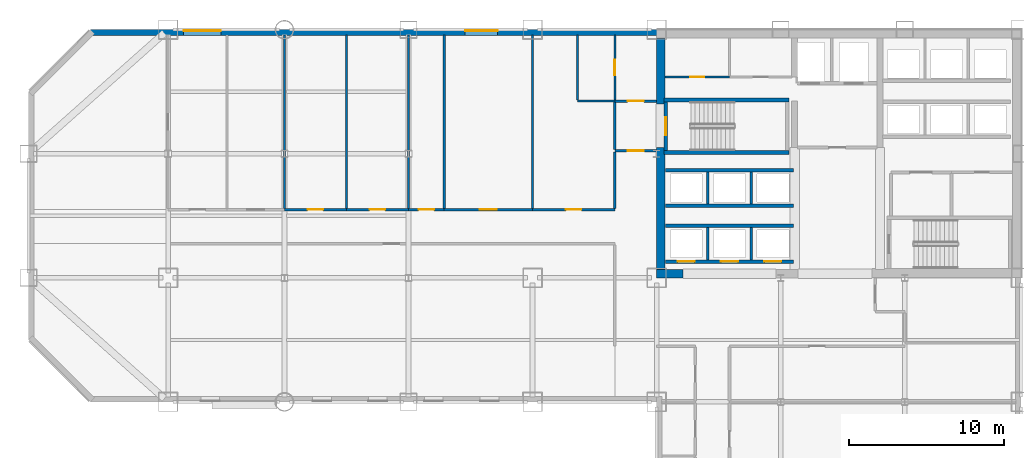
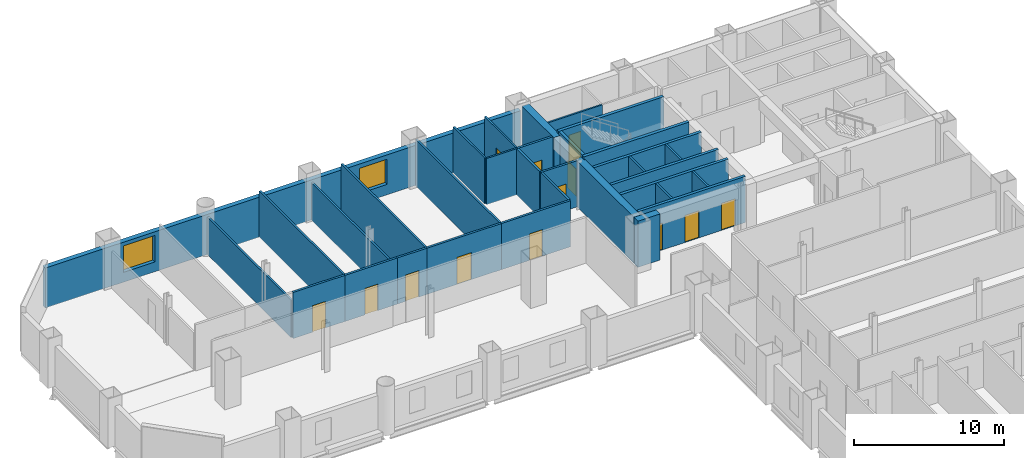
# One storey, part 6 of 9: 33 walls, 13 doors, 2 windows, 15 openings.
"""IFC4 building model written with IfcOpenShell, lengths in metres."""

from ifc_helpers import new_model, si_unit, direction, frame, frame_2d, origin, place, context, subcontext, project, spatial, rectangle, extrude, material, layer, layer_set, type_object, element, fill, save


model = new_model("IFC4")

# Units and contexts
model_context = context("Model", 3, precision=1e-05, world=origin(), true_north=direction((0.0, 1.0)))
body_context = subcontext(model_context, "Body", "Model", "MODEL_VIEW")
ifc_project = project(units=[si_unit("LENGTHUNIT", "METRE"), si_unit("AREAUNIT", "SQUARE_METRE"), si_unit("VOLUMEUNIT", "CUBIC_METRE"), si_unit("PLANEANGLEUNIT", "RADIAN"), si_unit("MASSUNIT", "GRAM", prefix="KILO")], contexts=[model_context])

# Site, building, storey
site_placement = place(None, origin())
site = spatial("IfcSite", under=ifc_project, at=site_placement, CompositionType="ELEMENT")
building_placement = place(site_placement, origin())
building = spatial("IfcBuilding", under=site, at=building_placement, Name="Qianrong Seaharbour Tower", CompositionType="ELEMENT")
storey_placement = place(building_placement, frame((0.0, 0.0, 36.199951171875)))
storey = spatial("IfcBuildingStorey", under=building, at=storey_placement, Name="L08", CompositionType="ELEMENT", Elevation=36.199951171875)

# Walls
ifc_material_1 = material(Name="Concrete C70/85", Category="concrete")
ifc_layer_1 = layer(ifc_material_1, 0.5400390625)
ifc_layer_set_1 = layer_set([ifc_layer_1], Name="Concrete C70/85")
wall_type_1 = type_object("IfcWallType", Name="WALL-CORE-540", PredefinedType="SHEAR", material=ifc_layer_set_1)
wall_1_placement = place(storey_placement, frame((40.77001953125, 36.5400390625, 0.0), z_axis=(0.0, 0.0, 1.0), x_axis=(0.0, 1.0, 0.0)))
element("IfcWall", 1, at=wall_1_placement, inside=storey, type_object=wall_type_1, Name="L08 West Core Shear Wall South", PredefinedType="SHEAR", context=body_context, shape_type="SweptSolid", body=[
    extrude(rectangle(XDim=7.85986328125, YDim=0.5400390625, at=frame_2d((3.929931640625, 0.0))), origin(), (0.0, 0.0, 1.0), 3.75),
])
wall_2_placement = place(storey_placement, frame((40.77001953125, 47.199951171875, 0.0), z_axis=(0.0, 0.0, 1.0), x_axis=(0.0, 1.0, 0.0)))
element("IfcWall", 2, at=wall_2_placement, inside=storey, type_object=wall_type_1, Name="L08 West Core Shear Wall North", PredefinedType="SHEAR", context=body_context, shape_type="SweptSolid", body=[
    extrude(rectangle(XDim=4.260009765625, YDim=0.5400390625, at=frame_2d((2.1298828125, 0.0))), origin(), (0.0, 0.0, 1.0), 3.75),
])
wall_3_placement = place(storey_placement, frame((40.5, 36.27001953125, 0.0), z_axis=(0.0, 0.0, 1.0), x_axis=(1.0, 0.0, 0.0)))
element("IfcWall", 3, at=wall_3_placement, inside=storey, type_object=wall_type_1, Name="L08 South Core Shear Wall S1", PredefinedType="SHEAR", context=body_context, shape_type="SweptSolid", body=[
    extrude(rectangle(XDim=1.699951171875, YDim=0.5400390625, at=frame_2d((0.85009765625, 0.0))), origin(), (0.0, 0.0, 1.0), 3.75),
])

# Wall, opening, door
ifc_material_2 = material(Name="Fire-rated acoustic gypsum board partition")
ifc_layer_2 = layer(ifc_material_2, 0.1650390625)
ifc_layer_set_2 = layer_set([ifc_layer_2], Name="Fire-rated acoustic gypsum board partition")
wall_type_2 = type_object("IfcWallType", Name="WALL-CORR-PART-165", PredefinedType="PARTITIONING", material=ifc_layer_set_2)
wall_4_placement = place(storey_placement, frame((37.800048828125, 47.39990234375, 0.0), z_axis=(0.0, 0.0, 1.0), x_axis=(1.0, 0.0, 0.0)))
wall_4 = element("IfcWall", 4, at=wall_4_placement, inside=storey, type_object=wall_type_2, Name="L08 Interior Partition Wall 001", PredefinedType="PARTITIONING", context=body_context, shape_type="SweptSolid", body=[
    extrude(rectangle(XDim=2.699951171875, YDim=0.1650390625, at=frame_2d((1.35009765625, 0.0))), origin(), (0.0, 0.0, 1.0), 3.75),
])
opening_1_placement = place(wall_4_placement, frame((0.824951171875, 0.0, 0.0)))
opening_1 = element("IfcOpeningElement", 5, at=opening_1_placement, cuts=wall_4, Name="Opening DC-01", PredefinedType="OPENING", context=body_context, shape_type="SweptSolid", body=[
    extrude(rectangle(XDim=1.050048828125, YDim=2.14990234375, at=frame_2d((0.52490234375, 1.074951171875))), frame((0.0, 0.092529296875, 0.0), z_axis=(0.0, -1.0, 0.0), x_axis=(1.0, 0.0, 0.0)), (0.0, 0.0, 1.0), 0.18505859375),
])
ifc_material_3 = material(Name="Acoustic timber and galvanized steel fire door assembly", Category="steel")
door_type_1 = type_object("IfcDoorType", Name="DOOR-CORR-FD60-1050x2150", OperationType="NOTDEFINED", PredefinedType="DOOR", material=ifc_material_3)
door_1_placement = place(opening_1_placement, origin())
door_1 = element("IfcDoor", 6, at=door_1_placement, inside=storey, type_object=door_type_1, Name="L08 Smokeproof Stair Vestibule ST-1 Door", OperationType="SINGLE_SWING_LEFT", OverallHeight=2.14990234375, OverallWidth=1.050048828125, PredefinedType="DOOR", context=body_context, shape_type="SweptSolid", body=[
    extrude(rectangle(XDim=1.050048828125, YDim=2.14990234375, at=frame_2d((0.52490234375, 1.074951171875))), frame((0.0, 0.02490234375, 0.0), z_axis=(0.0, -1.0, 0.0), x_axis=(1.0, 0.0, 0.0)), (0.0, 0.0, 1.0), 0.050048828125),
])
fill(opening_1, door_1)

wall_5_placement = place(storey_placement, frame((40.5, 44.199951171875, 0.0), z_axis=(0.0, 0.0, 1.0), x_axis=(-1.0, 0.0, 0.0)))
wall_5 = element("IfcWall", 7, at=wall_5_placement, inside=storey, type_object=wall_type_2, Name="L08 Interior Partition Wall 002", PredefinedType="PARTITIONING", context=body_context, shape_type="SweptSolid", body=[
    extrude(rectangle(XDim=2.699951171875, YDim=0.1650390625, at=frame_2d((1.35009765625, 0.0))), origin(), (0.0, 0.0, 1.0), 3.75),
])
opening_2_placement = place(wall_5_placement, frame((0.824951171875, 0.0, 0.0)))
opening_2 = element("IfcOpeningElement", 8, at=opening_2_placement, cuts=wall_5, Name="Opening DC-01", PredefinedType="OPENING", context=body_context, shape_type="SweptSolid", body=[
    extrude(rectangle(XDim=1.050048828125, YDim=2.14990234375, at=frame_2d((0.52490234375, 1.074951171875))), frame((0.0, 0.092529296875, 0.0), z_axis=(0.0, -1.0, 0.0), x_axis=(1.0, 0.0, 0.0)), (0.0, 0.0, 1.0), 0.18505859375),
])
door_2_placement = place(opening_2_placement, origin())
door_2 = element("IfcDoor", 9, at=door_2_placement, inside=storey, type_object=door_type_1, Name="L08 Smokeproof Stair Vestibule ST-1 Door", OperationType="SINGLE_SWING_RIGHT", OverallHeight=2.14990234375, OverallWidth=1.050048828125, PredefinedType="DOOR", context=body_context, shape_type="SweptSolid", body=[
    extrude(rectangle(XDim=1.050048828125, YDim=2.14990234375, at=frame_2d((0.52490234375, 1.074951171875))), frame((0.0, 0.02490234375, 0.0), z_axis=(0.0, -1.0, 0.0), x_axis=(1.0, 0.0, 0.0)), (0.0, 0.0, 1.0), 0.050048828125),
])
fill(opening_2, door_2)

# Wall
wall_6_placement = place(storey_placement, frame((37.800048828125, 44.2744140625, 0.0), z_axis=(0.0, 0.0, 1.0), x_axis=(0.0, 1.0, 0.0)))
element("IfcWall", 10, at=wall_6_placement, inside=storey, type_object=wall_type_2, Name="L08 Interior Partition Wall 003", PredefinedType="PARTITIONING", context=body_context, shape_type="SweptSolid", body=[
    extrude(rectangle(XDim=3.051025390625, YDim=0.1650390625, at=frame_2d((1.525390625, 0.0))), origin(), (0.0, 0.0, 1.0), 3.75),
])

# Wall, opening, door
wall_7_placement = place(storey_placement, frame((16.5, 40.39990234375, 0.0), z_axis=(0.0, 0.0, 1.0), x_axis=(1.0, 0.0, 0.0)))
wall_7 = element("IfcWall", 11, at=wall_7_placement, inside=storey, type_object=wall_type_2, Name="L08 Interior Partition Wall 018", PredefinedType="PARTITIONING", context=body_context, shape_type="SweptSolid", body=[
    extrude(rectangle(XDim=4.0, YDim=0.1650390625, at=frame_2d((2.0, 0.0))), origin(), (0.0, 0.0, 1.0), 3.75),
])
opening_3_placement = place(wall_7_placement, frame((1.5, 0.0, 0.0)))
opening_3 = element("IfcOpeningElement", 12, at=opening_3_placement, cuts=wall_7, Name="Opening DO-01", PredefinedType="OPENING", context=body_context, shape_type="SweptSolid", body=[
    extrude(rectangle(XDim=1.0, YDim=2.14990234375, at=frame_2d((0.5, 1.074951171875))), frame((0.0, 0.092529296875, 0.0), z_axis=(0.0, -1.0, 0.0), x_axis=(1.0, 0.0, 0.0)), (0.0, 0.0, 1.0), 0.18505859375),
])
door_type_2 = type_object("IfcDoorType", Name="DOOR-OFFICE-1000x2150", OperationType="NOTDEFINED", PredefinedType="DOOR", material=ifc_material_3)
door_3_placement = place(opening_3_placement, origin())
door_3 = element("IfcDoor", 13, at=door_3_placement, inside=storey, type_object=door_type_2, Name="L08 Executive Office 4 Door", OperationType="SINGLE_SWING_RIGHT", OverallHeight=2.14990234375, OverallWidth=1.0, PredefinedType="DOOR", context=body_context, shape_type="SweptSolid", body=[
    extrude(rectangle(XDim=1.0, YDim=2.14990234375, at=frame_2d((0.5, 1.074951171875))), frame((0.0, 0.02490234375, 0.0), z_axis=(0.0, -1.0, 0.0), x_axis=(1.0, 0.0, 0.0)), (0.0, 0.0, 1.0), 0.050048828125),
])
fill(opening_3, door_3)

wall_8_placement = place(storey_placement, frame((20.5, 40.39990234375, 0.0), z_axis=(0.0, 0.0, 1.0), x_axis=(1.0, 0.0, 0.0)))
wall_8 = element("IfcWall", 14, at=wall_8_placement, inside=storey, type_object=wall_type_2, Name="L08 Interior Partition Wall 019", PredefinedType="PARTITIONING", context=body_context, shape_type="SweptSolid", body=[
    extrude(rectangle(XDim=4.0, YDim=0.1650390625, at=frame_2d((2.0, 0.0))), origin(), (0.0, 0.0, 1.0), 3.75),
])
opening_4_placement = place(wall_8_placement, frame((1.5, 0.0, 0.0)))
opening_4 = element("IfcOpeningElement", 15, at=opening_4_placement, cuts=wall_8, Name="Opening DO-01", PredefinedType="OPENING", context=body_context, shape_type="SweptSolid", body=[
    extrude(rectangle(XDim=1.0, YDim=2.14990234375, at=frame_2d((0.5, 1.074951171875))), frame((0.0, 0.092529296875, 0.0), z_axis=(0.0, -1.0, 0.0), x_axis=(1.0, 0.0, 0.0)), (0.0, 0.0, 1.0), 0.18505859375),
])
door_4_placement = place(opening_4_placement, origin())
door_4 = element("IfcDoor", 16, at=door_4_placement, inside=storey, type_object=door_type_2, Name="L08 Executive Office 5 Door", OperationType="SINGLE_SWING_LEFT", OverallHeight=2.14990234375, OverallWidth=1.0, PredefinedType="DOOR", context=body_context, shape_type="SweptSolid", body=[
    extrude(rectangle(XDim=1.0, YDim=2.14990234375, at=frame_2d((0.5, 1.074951171875))), frame((0.0, 0.02490234375, 0.0), z_axis=(0.0, -1.0, 0.0), x_axis=(1.0, 0.0, 0.0)), (0.0, 0.0, 1.0), 0.050048828125),
])
fill(opening_4, door_4)

wall_9_placement = place(storey_placement, frame((24.5, 40.39990234375, 0.0), z_axis=(0.0, 0.0, 1.0), x_axis=(1.0, 0.0, 0.0)))
wall_9 = element("IfcWall", 17, at=wall_9_placement, inside=storey, type_object=wall_type_2, Name="L08 Interior Partition Wall 020", PredefinedType="PARTITIONING", context=body_context, shape_type="SweptSolid", body=[
    extrude(rectangle(XDim=2.300048828125, YDim=0.1650390625, at=frame_2d((1.14990234375, 0.0))), origin(), (0.0, 0.0, 1.0), 3.75),
])
opening_5_placement = place(wall_9_placement, frame((0.64990234375, 0.0, 0.0)))
opening_5 = element("IfcOpeningElement", 18, at=opening_5_placement, cuts=wall_9, Name="Opening DO-01", PredefinedType="OPENING", context=body_context, shape_type="SweptSolid", body=[
    extrude(rectangle(XDim=1.0, YDim=2.14990234375, at=frame_2d((0.5, 1.074951171875))), frame((0.0, 0.092529296875, 0.0), z_axis=(0.0, -1.0, 0.0), x_axis=(1.0, 0.0, 0.0)), (0.0, 0.0, 1.0), 0.18505859375),
])
door_5_placement = place(opening_5_placement, origin())
door_5 = element("IfcDoor", 19, at=door_5_placement, inside=storey, type_object=door_type_2, Name="L08 Focus Room 6 Door", OperationType="SINGLE_SWING_RIGHT", OverallHeight=2.14990234375, OverallWidth=1.0, PredefinedType="DOOR", context=body_context, shape_type="SweptSolid", body=[
    extrude(rectangle(XDim=1.0, YDim=2.14990234375, at=frame_2d((0.5, 1.074951171875))), frame((0.0, 0.02490234375, 0.0), z_axis=(0.0, -1.0, 0.0), x_axis=(1.0, 0.0, 0.0)), (0.0, 0.0, 1.0), 0.050048828125),
])
fill(opening_5, door_5)

wall_10_placement = place(storey_placement, frame((26.800048828125, 40.39990234375, 0.0), z_axis=(0.0, 0.0, 1.0), x_axis=(1.0, 0.0, 0.0)))
wall_10 = element("IfcWall", 20, at=wall_10_placement, inside=storey, type_object=wall_type_2, Name="L08 Interior Partition Wall 021", PredefinedType="PARTITIONING", context=body_context, shape_type="SweptSolid", body=[
    extrude(rectangle(XDim=5.699951171875, YDim=0.1650390625, at=frame_2d((2.85009765625, 0.0))), origin(), (0.0, 0.0, 1.0), 3.75),
])
opening_6_placement = place(wall_10_placement, frame((2.300048828125, 0.0, 0.0)))
opening_6 = element("IfcOpeningElement", 21, at=opening_6_placement, cuts=wall_10, Name="Opening DM-01", PredefinedType="OPENING", context=body_context, shape_type="SweptSolid", body=[
    extrude(rectangle(XDim=1.10009765625, YDim=2.199951171875, at=frame_2d((0.550048828125, 1.10009765625))), frame((0.0, 0.092529296875, 0.0), z_axis=(0.0, -1.0, 0.0), x_axis=(1.0, 0.0, 0.0)), (0.0, 0.0, 1.0), 0.18505859375),
])
door_type_3 = type_object("IfcDoorType", Name="DOOR-MEET-1100x2200", OperationType="NOTDEFINED", PredefinedType="DOOR", material=ifc_material_3)
door_6_placement = place(opening_6_placement, origin())
door_6 = element("IfcDoor", 22, at=door_6_placement, inside=storey, type_object=door_type_3, Name="L08 Meeting Room 7 Door", OperationType="SINGLE_SWING_LEFT", OverallHeight=2.199951171875, OverallWidth=1.10009765625, PredefinedType="DOOR", context=body_context, shape_type="SweptSolid", body=[
    extrude(rectangle(XDim=1.10009765625, YDim=2.199951171875, at=frame_2d((0.550048828125, 1.10009765625))), frame((0.0, 0.02490234375, 0.0), z_axis=(0.0, -1.0, 0.0), x_axis=(1.0, 0.0, 0.0)), (0.0, 0.0, 1.0), 0.050048828125),
])
fill(opening_6, door_6)

wall_11_placement = place(storey_placement, frame((32.5, 40.39990234375, 0.0), z_axis=(0.0, 0.0, 1.0), x_axis=(1.0, 0.0, 0.0)))
wall_11 = element("IfcWall", 23, at=wall_11_placement, inside=storey, type_object=wall_type_2, Name="L08 Interior Partition Wall 022", PredefinedType="PARTITIONING", context=body_context, shape_type="SweptSolid", body=[
    extrude(rectangle(XDim=5.300048828125, YDim=0.1650390625, at=frame_2d((2.64990234375, 0.0))), origin(), (0.0, 0.0, 1.0), 3.75),
])
opening_7_placement = place(wall_11_placement, frame((2.14990234375, 0.0, 0.0)))
opening_7 = element("IfcOpeningElement", 24, at=opening_7_placement, cuts=wall_11, Name="Opening DO-01", PredefinedType="OPENING", context=body_context, shape_type="SweptSolid", body=[
    extrude(rectangle(XDim=1.0, YDim=2.14990234375, at=frame_2d((0.5, 1.074951171875))), frame((0.0, 0.092529296875, 0.0), z_axis=(0.0, -1.0, 0.0), x_axis=(1.0, 0.0, 0.0)), (0.0, 0.0, 1.0), 0.18505859375),
])
door_7_placement = place(opening_7_placement, origin())
door_7 = element("IfcDoor", 25, at=door_7_placement, inside=storey, type_object=door_type_2, Name="L08 Executive Office 8 Door", OperationType="SINGLE_SWING_RIGHT", OverallHeight=2.14990234375, OverallWidth=1.0, PredefinedType="DOOR", context=body_context, shape_type="SweptSolid", body=[
    extrude(rectangle(XDim=1.0, YDim=2.14990234375, at=frame_2d((0.5, 1.074951171875))), frame((0.0, 0.02490234375, 0.0), z_axis=(0.0, -1.0, 0.0), x_axis=(1.0, 0.0, 0.0)), (0.0, 0.0, 1.0), 0.050048828125),
])
fill(opening_7, door_7)

# Wall
wall_12_placement = place(storey_placement, frame((37.800048828125, 40.474609375, 0.0), z_axis=(0.0, 0.0, 1.0), x_axis=(0.0, 1.0, 0.0)))
element("IfcWall", 26, at=wall_12_placement, inside=storey, type_object=wall_type_2, Name="L08 Interior Partition Wall 024", PredefinedType="PARTITIONING", context=body_context, shape_type="SweptSolid", body=[
    extrude(rectangle(XDim=3.65087890625, YDim=0.1650390625, at=frame_2d((1.825439453125, 0.0))), origin(), (0.0, 0.0, 1.0), 3.75),
])

# Wall, openings, windows
ifc_material_4 = material(Name="Unitised red brick on Precast concrete C45/55", Category="masonry")
ifc_layer_3 = layer(ifc_material_4, 0.360107421875)
ifc_layer_set_3 = layer_set([ifc_layer_3], Name="Unitised red brick on Precast concrete C45/55")
wall_type_3 = type_object("IfcWallType", Name="WALL-EXT-BRICK-RED-360", PredefinedType="SOLIDWALL", material=ifc_layer_set_3)
wall_13_placement = place(storey_placement, frame((4.0, 51.820068359375, 0.0), z_axis=(0.0, 0.0, 1.0), x_axis=(1.0, 0.0, 0.0)))
wall_13 = element("IfcWall", 27, at=wall_13_placement, inside=storey, type_object=wall_type_3, Name="L08 Exterior Masonry Facade Wall NORTH_WING", PredefinedType="SOLIDWALL", context=body_context, shape_type="SweptSolid", body=[
    extrude(rectangle(XDim=36.52001953125, YDim=0.360107421875, at=frame_2d((18.260009765625, 0.0))), origin(), (0.0, 0.0, 1.0), 3.25),
])
opening_8_placement = place(wall_13_placement, frame((6.0, 0.0, 0.800048828125)))
opening_8 = element("IfcOpeningElement", 28, at=opening_8_placement, cuts=wall_13, Name="Opening WN-07", PredefinedType="OPENING", context=body_context, shape_type="SweptSolid", body=[
    extrude(rectangle(XDim=2.39990234375, YDim=2.14990234375, at=frame_2d((1.199951171875, 1.074951171875))), frame((0.0, 0.18994140625, 0.0), z_axis=(0.0, -1.0, 0.0), x_axis=(1.0, 0.0, 0.0)), (0.0, 0.0, 1.0), 0.380126953125),
])
opening_9_placement = place(wall_13_placement, frame((24.14990234375, 0.0, 0.85009765625)))
opening_9 = element("IfcOpeningElement", 29, at=opening_9_placement, cuts=wall_13, Name="Opening WN-06", PredefinedType="OPENING", context=body_context, shape_type="SweptSolid", body=[
    extrude(rectangle(XDim=2.10009765625, YDim=2.050048828125, at=frame_2d((1.050048828125, 1.02490234375))), frame((0.0, 0.18994140625, 0.0), z_axis=(0.0, -1.0, 0.0), x_axis=(1.0, 0.0, 0.0)), (0.0, 0.0, 1.0), 0.380126953125),
])
ifc_material_5 = material(Name="Insulated low-e double glazing in thermally broken aluminium 6063-T6 frame", Category="aluminium")
window_type_1 = type_object("IfcWindowType", Name="WIN-PUNCH-2100x2050", PartitioningType="TRIPLE_PANEL_VERTICAL", PredefinedType="WINDOW", material=ifc_material_5)
window_1_placement = place(opening_9_placement, origin())
window_1 = element("IfcWindow", 30, at=window_1_placement, inside=storey, type_object=window_type_1, Name="L08 Deep-Set Punched Window 05.07", OverallHeight=2.050048828125, OverallWidth=2.10009765625, PartitioningType="TRIPLE_PANEL_VERTICAL", PredefinedType="WINDOW", context=body_context, shape_type="SweptSolid", body=[
    extrude(rectangle(XDim=2.10009765625, YDim=2.050048828125, at=frame_2d((1.050048828125, 1.02490234375))), frame((0.0, 0.150146484375, 0.0), z_axis=(0.0, -1.0, 0.0), x_axis=(1.0, 0.0, 0.0)), (0.0, 0.0, 1.0), 0.06005859375),
])
fill(opening_9, window_1)
window_type_2 = type_object("IfcWindowType", Name="WIN-PUNCH-2400x2150", PartitioningType="TRIPLE_PANEL_VERTICAL", PredefinedType="WINDOW", material=ifc_material_5)
window_2_placement = place(opening_8_placement, origin())
window_2 = element("IfcWindow", 31, at=window_2_placement, inside=storey, type_object=window_type_2, Name="L08 Deep-Set Punched Window 05.02", OverallHeight=2.14990234375, OverallWidth=2.39990234375, PartitioningType="TRIPLE_PANEL_VERTICAL", PredefinedType="WINDOW", context=body_context, shape_type="SweptSolid", body=[
    extrude(rectangle(XDim=2.39990234375, YDim=2.14990234375, at=frame_2d((1.199951171875, 1.074951171875))), frame((0.0, 0.150146484375, 0.0), z_axis=(0.0, -1.0, 0.0), x_axis=(1.0, 0.0, 0.0)), (0.0, 0.0, 1.0), 0.06005859375),
])
fill(opening_8, window_2)

# Walls
ifc_material_6 = material(Name="Acoustic gypsum board stud partition")
ifc_layer_4 = layer(ifc_material_6, 0.14501953125)
ifc_layer_set_4 = layer_set([ifc_layer_4], Name="Acoustic gypsum board stud partition")
wall_type_4 = type_object("IfcWallType", Name="WALL-OFFICE-PART-145", PredefinedType="PARTITIONING", material=ifc_layer_set_4)
wall_14_placement = place(storey_placement, frame((16.5, 51.64794921875, 0.0), z_axis=(0.0, 0.0, 1.0), x_axis=(0.0, -1.0, 0.0)))
element("IfcWall", 32, at=wall_14_placement, inside=storey, type_object=wall_type_4, Name="L08 Interior Partition Wall 047", PredefinedType="PARTITIONING", context=body_context, shape_type="SweptSolid", body=[
    extrude(rectangle(XDim=11.17333984375, YDim=0.14501953125, at=frame_2d((5.586669921875, 0.0))), origin(), (0.0, 0.0, 1.0), 3.0419921875),
])
wall_15_placement = place(storey_placement, frame((20.5, 51.64794921875, 0.0), z_axis=(0.0, 0.0, 1.0), x_axis=(0.0, -1.0, 0.0)))
element("IfcWall", 33, at=wall_15_placement, inside=storey, type_object=wall_type_4, Name="L08 Interior Partition Wall 048", PredefinedType="PARTITIONING", context=body_context, shape_type="SweptSolid", body=[
    extrude(rectangle(XDim=11.17333984375, YDim=0.14501953125, at=frame_2d((5.586669921875, 0.0))), origin(), (0.0, 0.0, 1.0), 3.75),
])
wall_16_placement = place(storey_placement, frame((24.5, 51.64794921875, 0.0), z_axis=(0.0, 0.0, 1.0), x_axis=(0.0, -1.0, 0.0)))
element("IfcWall", 34, at=wall_16_placement, inside=storey, type_object=wall_type_4, Name="L08 Interior Partition Wall 049", PredefinedType="PARTITIONING", context=body_context, shape_type="SweptSolid", body=[
    extrude(rectangle(XDim=11.17333984375, YDim=0.14501953125, at=frame_2d((5.586669921875, 0.0))), origin(), (0.0, 0.0, 1.0), 3.0419921875),
])
for number, where, z_axis, x_axis, name in (
    (35, (26.800048828125, 51.64794921875, 0.0), (0.0, 0.0, 1.0), (0.0, -1.0, 0.0), "L08 Interior Partition Wall 050"),
    (36, (32.5, 51.64794921875, 0.0), (0.0, 0.0, 1.0), (0.0, -1.0, 0.0), "L08 Interior Partition Wall 051"),
):
    element("IfcWall", number, at=place(storey_placement, frame(where, z_axis=z_axis, x_axis=x_axis)), inside=storey, type_object=wall_type_4, Name=name, PredefinedType="PARTITIONING", context=body_context, shape_type="SweptSolid", body=[
        extrude(rectangle(XDim=11.17333984375, YDim=0.14501953125, at=frame_2d((5.586669921875, 0.0))), origin(), (0.0, 0.0, 1.0), 3.75),
    ])
ifc_material_7 = material(Name="Fire-rated gypsum board on steel studs", Category="steel")
ifc_layer_5 = layer(ifc_material_7, 0.14990234375)
ifc_layer_set_5 = layer_set([ifc_layer_5], Name="Fire-rated gypsum board on steel studs")
wall_type_5 = type_object("IfcWallType", Name="WALL-SHAFT-DIV-150", PredefinedType="PARTITIONING", material=ifc_layer_set_5)
for number, where, z_axis, x_axis, name in (
    (37, (43.800048828125, 37.159912109375, 0.0), (0.0, 0.0, 1.0), (0.0, 1.0, 0.0), "L08 P1 Lift Hoistway Divider 2"),
    (38, (46.60009765625, 37.159912109375, 0.0), (0.0, 0.0, 1.0), (0.0, 1.0, 0.0), "L08 P1 Lift Hoistway Divider 3"),
    (39, (43.800048828125, 40.760009765625, 0.0), (0.0, 0.0, 1.0), (0.0, 1.0, 0.0), "L08 P2 Lift Hoistway Divider 2"),
    (40, (46.60009765625, 40.760009765625, 0.0), (0.0, 0.0, 1.0), (0.0, 1.0, 0.0), "L08 P2 Lift Hoistway Divider 3"),
):
    element("IfcWall", number, at=place(storey_placement, frame(where, z_axis=z_axis, x_axis=x_axis)), inside=storey, type_object=wall_type_5, Name=name, PredefinedType="PARTITIONING", context=body_context, shape_type="SweptSolid", body=[
        extrude(rectangle(XDim=2.080078125, YDim=0.14990234375, at=frame_2d((1.0400390625, 0.0))), origin(), (0.0, 0.0, 1.0), 3.75),
    ])

# Wall, openings, doors
ifc_layer_6 = layer(ifc_material_7, 0.219970703125)
ifc_layer_set_6 = layer_set([ifc_layer_6], Name="Fire-rated gypsum board on steel studs")
wall_type_6 = type_object("IfcWallType", Name="WALL-SHAFT-GYP220", PredefinedType="PARTITIONING", material=ifc_layer_set_6)
wall_17_placement = place(storey_placement, frame((49.320068359375, 37.050048828125, 0.0), z_axis=(0.0, 0.0, 1.0), x_axis=(-1.0, 0.0, 0.0)))
wall_17 = element("IfcWall", 41, at=wall_17_placement, inside=storey, type_object=wall_type_6, Name="L08 P1 Lift Hoistway Front Wall", PredefinedType="PARTITIONING", context=body_context, shape_type="SweptSolid", body=[
    extrude(rectangle(XDim=8.239990234375, YDim=0.219970703125, at=frame_2d((4.1201171875, 0.0))), origin(), (0.0, 0.0, 1.0), 3.75),
])
opening_10_placement = place(wall_17_placement, frame((6.3701171875, 0.0, 0.0)))
opening_10 = element("IfcOpeningElement", 42, at=opening_10_placement, cuts=wall_17, Name="Opening LD-02", PredefinedType="OPENING", context=body_context, shape_type="SweptSolid", body=[
    extrude(rectangle(XDim=1.10009765625, YDim=2.199951171875, at=frame_2d((0.550048828125, 1.10009765625))), frame((0.0, 0.1201171875, 0.0), z_axis=(0.0, -1.0, 0.0), x_axis=(1.0, 0.0, 0.0)), (0.0, 0.0, 1.0), 0.239990234375),
])
opening_11_placement = place(wall_17_placement, frame((3.570068359375, 0.0, 0.0)))
opening_11 = element("IfcOpeningElement", 43, at=opening_11_placement, cuts=wall_17, Name="Opening LD-02", PredefinedType="OPENING", context=body_context, shape_type="SweptSolid", body=[
    extrude(rectangle(XDim=1.10009765625, YDim=2.199951171875, at=frame_2d((0.550048828125, 1.10009765625))), frame((0.0, 0.1201171875, 0.0), z_axis=(0.0, -1.0, 0.0), x_axis=(1.0, 0.0, 0.0)), (0.0, 0.0, 1.0), 0.239990234375),
])
opening_12_placement = place(wall_17_placement, frame((0.77001953125, 0.0, 0.0)))
opening_12 = element("IfcOpeningElement", 44, at=opening_12_placement, cuts=wall_17, Name="Opening LD-02", PredefinedType="OPENING", context=body_context, shape_type="SweptSolid", body=[
    extrude(rectangle(XDim=1.10009765625, YDim=2.199951171875, at=frame_2d((0.550048828125, 1.10009765625))), frame((0.0, 0.1201171875, 0.0), z_axis=(0.0, -1.0, 0.0), x_axis=(1.0, 0.0, 0.0)), (0.0, 0.0, 1.0), 0.239990234375),
])
ifc_material_8 = material(Name="Stainless steel SUS316L bi-parting lift landing door", Category="steel")
door_type_4 = type_object("IfcDoorType", Name="DOOR-LIFT-PASS-1100x2200", OperationType="DOUBLE_DOOR_SLIDING", PredefinedType="DOOR", material=ifc_material_8)
door_8_placement = place(opening_10_placement, origin())
door_8 = element("IfcDoor", 45, at=door_8_placement, inside=storey, type_object=door_type_4, Name="L08 PL-1A Lift Landing Door", OperationType="DOUBLE_DOOR_SLIDING", OverallHeight=2.199951171875, OverallWidth=1.10009765625, PredefinedType="DOOR", context=body_context, shape_type="SweptSolid", body=[
    extrude(rectangle(XDim=1.10009765625, YDim=2.199951171875, at=frame_2d((0.550048828125, 1.10009765625))), frame((0.0, 0.02490234375, 0.0), z_axis=(0.0, -1.0, 0.0), x_axis=(1.0, 0.0, 0.0)), (0.0, 0.0, 1.0), 0.050048828125),
])
fill(opening_10, door_8)
door_9_placement = place(opening_11_placement, origin())
door_9 = element("IfcDoor", 46, at=door_9_placement, inside=storey, type_object=door_type_4, Name="L08 PL-1B Lift Landing Door", OperationType="DOUBLE_DOOR_SLIDING", OverallHeight=2.199951171875, OverallWidth=1.10009765625, PredefinedType="DOOR", context=body_context, shape_type="SweptSolid", body=[
    extrude(rectangle(XDim=1.10009765625, YDim=2.199951171875, at=frame_2d((0.550048828125, 1.10009765625))), frame((0.0, 0.02490234375, 0.0), z_axis=(0.0, -1.0, 0.0), x_axis=(1.0, 0.0, 0.0)), (0.0, 0.0, 1.0), 0.050048828125),
])
fill(opening_11, door_9)
door_10_placement = place(opening_12_placement, origin())
door_10 = element("IfcDoor", 47, at=door_10_placement, inside=storey, type_object=door_type_4, Name="L08 PL-1C Lift Landing Door", OperationType="DOUBLE_DOOR_SLIDING", OverallHeight=2.199951171875, OverallWidth=1.10009765625, PredefinedType="DOOR", context=body_context, shape_type="SweptSolid", body=[
    extrude(rectangle(XDim=1.10009765625, YDim=2.199951171875, at=frame_2d((0.550048828125, 1.10009765625))), frame((0.0, 0.02490234375, 0.0), z_axis=(0.0, -1.0, 0.0), x_axis=(1.0, 0.0, 0.0)), (0.0, 0.0, 1.0), 0.050048828125),
])
fill(opening_12, door_10)

# Walls
for number, where, z_axis, x_axis, name in (
    (48, (41.080078125, 39.35009765625, 0.0), (0.0, 0.0, 1.0), (1.0, 0.0, 0.0), "L08 P1 Lift Hoistway Back Wall"),
    (49, (49.320068359375, 40.64990234375, 0.0), (0.0, 0.0, 1.0), (-1.0, 0.0, 0.0), "L08 P2 Lift Hoistway Front Wall"),
    (50, (41.080078125, 42.949951171875, 0.0), (0.0, 0.0, 1.0), (1.0, 0.0, 0.0), "L08 P2 Lift Hoistway Back Wall"),
):
    element("IfcWall", number, at=place(storey_placement, frame(where, z_axis=z_axis, x_axis=x_axis)), inside=storey, type_object=wall_type_6, Name=name, PredefinedType="PARTITIONING", context=body_context, shape_type="SweptSolid", body=[
        extrude(rectangle(XDim=8.239990234375, YDim=0.219970703125, at=frame_2d((4.1201171875, 0.0))), origin(), (0.0, 0.0, 1.0), 3.75),
    ])
ifc_material_9 = material(Name="Concrete C50/60", Category="concrete")
ifc_layer_7 = layer(ifc_material_9, 0.239990234375)
ifc_layer_set_7 = layer_set([ifc_layer_7], Name="Concrete C50/60")
wall_type_7 = type_object("IfcWallType", Name="WALL-SHAFT-RC240", PredefinedType="SOLIDWALL", material=ifc_layer_set_7)
for number, where, z_axis, x_axis, name in (
    (51, (40.9599609375, 47.469970703125, 0.0), (0.0, 0.0, 1.0), (1.0, 0.0, 0.0), "L08 ST-1 Structural Stair Core Wall N"),
    (52, (49.0400390625, 44.080078125, 0.0), (0.0, 0.0, 1.0), (-1.0, 0.0, 0.0), "L08 ST-1 Structural Stair Core Wall S"),
):
    element("IfcWall", number, at=place(storey_placement, frame(where, z_axis=z_axis, x_axis=x_axis)), inside=storey, type_object=wall_type_7, Name=name, PredefinedType="SOLIDWALL", context=body_context, shape_type="SweptSolid", body=[
        extrude(rectangle(XDim=8.080078125, YDim=0.239990234375, at=frame_2d((4.0400390625, 0.0))), origin(), (0.0, 0.0, 1.0), 4.0),
    ])

# Wall, opening, door
wall_18_placement = place(storey_placement, frame((41.080078125, 47.35009765625, 0.0), z_axis=(0.0, 0.0, 1.0), x_axis=(0.0, -1.0, 0.0)))
wall_18 = element("IfcWall", 53, at=wall_18_placement, inside=storey, type_object=wall_type_7, Name="L08 ST-1 Structural Stair Core Wall W", PredefinedType="SOLIDWALL", context=body_context, shape_type="SweptSolid", body=[
    extrude(rectangle(XDim=3.150146484375, YDim=0.239990234375, at=frame_2d((1.5751953125, 0.0))), origin(), (0.0, 0.0, 1.0), 4.0),
])
opening_13_placement = place(wall_18_placement, frame((1.0, 0.0, 0.0)))
opening_13 = element("IfcOpeningElement", 54, at=opening_13_placement, cuts=wall_18, Name="Opening SD-01", PredefinedType="OPENING", context=body_context, shape_type="SweptSolid", body=[
    extrude(rectangle(XDim=1.14990234375, YDim=2.199951171875, at=frame_2d((0.574951171875, 1.10009765625))), frame((0.0, 0.1298828125, 0.0), z_axis=(0.0, -1.0, 0.0), x_axis=(1.0, 0.0, 0.0)), (0.0, 0.0, 1.0), 0.260009765625),
])
door_type_5 = type_object("IfcDoorType", Name="DOOR-STAIR-FD60-1150x2200", OperationType="NOTDEFINED", PredefinedType="DOOR", material=ifc_material_3)
door_11_placement = place(opening_13_placement, origin())
door_11 = element("IfcDoor", 55, at=door_11_placement, inside=storey, type_object=door_type_5, Name="L08 ST-1 Protected Stair Door", OperationType="SINGLE_SWING_LEFT", OverallHeight=2.199951171875, OverallWidth=1.14990234375, PredefinedType="DOOR", context=body_context, shape_type="SweptSolid", body=[
    extrude(rectangle(XDim=1.14990234375, YDim=2.199951171875, at=frame_2d((0.574951171875, 1.10009765625))), frame((0.0, 0.02490234375, 0.0), z_axis=(0.0, -1.0, 0.0), x_axis=(1.0, 0.0, 0.0)), (0.0, 0.0, 1.0), 0.050048828125),
])
fill(opening_13, door_11)

ifc_material_10 = material(Name="Water-resistant cement board sanitary partition")
ifc_layer_8 = layer(ifc_material_10, 0.1298828125)
ifc_layer_set_8 = layer_set([ifc_layer_8], Name="Water-resistant cement board sanitary partition")
wall_type_8 = type_object("IfcWallType", Name="WALL-WET-PART-130", PredefinedType="PARTITIONING", material=ifc_layer_set_8)
wall_19_placement = place(storey_placement, frame((37.800048828125, 47.474609375, 0.0), z_axis=(0.0, 0.0, 1.0), x_axis=(0.0, 1.0, 0.0)))
wall_19 = element("IfcWall", 56, at=wall_19_placement, inside=storey, type_object=wall_type_8, Name="L08 Interior Partition Wall 004", PredefinedType="PARTITIONING", context=body_context, shape_type="SweptSolid", body=[
    extrude(rectangle(XDim=4.17333984375, YDim=0.1298828125, at=frame_2d((2.086669921875, 0.0))), origin(), (0.0, 0.0, 1.0), 3.75),
])
opening_14_placement = place(wall_19_placement, frame((1.57666015625, 0.0, 0.0)))
opening_14 = element("IfcOpeningElement", 57, at=opening_14_placement, cuts=wall_19, Name="Opening DAW-01", PredefinedType="OPENING", context=body_context, shape_type="SweptSolid", body=[
    extrude(rectangle(XDim=1.02001953125, YDim=2.14990234375, at=frame_2d((0.510009765625, 1.074951171875))), frame((0.0, 0.074951171875, 0.0), z_axis=(0.0, -1.0, 0.0), x_axis=(1.0, 0.0, 0.0)), (0.0, 0.0, 1.0), 0.14990234375),
])
door_type_6 = type_object("IfcDoorType", Name="DOOR-AWC-SLIDE-1020x2150", OperationType="SLIDING_TO_LEFT", PredefinedType="DOOR", material=ifc_material_3)
door_12_placement = place(opening_14_placement, origin())
door_12 = element("IfcDoor", 58, at=door_12_placement, inside=storey, type_object=door_type_6, Name="L08 Accessible Restroom WC Door", OperationType="SLIDING_TO_LEFT", OverallHeight=2.14990234375, OverallWidth=1.02001953125, PredefinedType="DOOR", context=body_context, shape_type="SweptSolid", body=[
    extrude(rectangle(XDim=1.02001953125, YDim=2.14990234375, at=frame_2d((0.510009765625, 1.074951171875))), frame((0.0, 0.02490234375, 0.0), z_axis=(0.0, -1.0, 0.0), x_axis=(1.0, 0.0, 0.0)), (0.0, 0.0, 1.0), 0.050048828125),
])
fill(opening_14, door_12)

# Walls
wall_20_placement = place(storey_placement, frame((37.800048828125, 47.39990234375, 0.0), z_axis=(0.0, 0.0, 1.0), x_axis=(-1.0, 0.0, 0.0)))
element("IfcWall", 59, at=wall_20_placement, inside=storey, type_object=wall_type_8, Name="L08 Interior Partition Wall 005", PredefinedType="PARTITIONING", context=body_context, shape_type="SweptSolid", body=[
    extrude(rectangle(XDim=2.400146484375, YDim=0.1298828125, at=frame_2d((1.2001953125, 0.0))), origin(), (0.0, 0.0, 1.0), 3.75),
])
wall_21_placement = place(storey_placement, frame((35.39990234375, 47.45703125, 0.0), z_axis=(0.0, 0.0, 1.0), x_axis=(0.0, 1.0, 0.0)))
element("IfcWall", 60, at=wall_21_placement, inside=storey, type_object=wall_type_8, Name="L08 Interior Partition Wall 006", PredefinedType="PARTITIONING", context=body_context, shape_type="SweptSolid", body=[
    extrude(rectangle(XDim=4.19091796875, YDim=0.1298828125, at=frame_2d((2.095458984375, 0.0))), origin(), (0.0, 0.0, 1.0), 3.75),
])

# Wall, opening, door
wall_22_placement = place(storey_placement, frame((41.0400390625, 48.949951171875, 0.0), z_axis=(0.0, 0.0, 1.0), x_axis=(1.0, 0.0, 0.0)))
wall_22 = element("IfcWall", 61, at=wall_22_placement, inside=storey, type_object=wall_type_8, Name="L08 Interior Partition Wall 007", PredefinedType="PARTITIONING", context=body_context, shape_type="SweptSolid", body=[
    extrude(rectangle(XDim=4.159912109375, YDim=0.1298828125, at=frame_2d((2.080078125, 0.0))), origin(), (0.0, 0.0, 1.0), 3.75),
])
opening_15_placement = place(wall_22_placement, frame((1.6201171875, 0.0, 0.0)))
opening_15 = element("IfcOpeningElement", 62, at=opening_15_placement, cuts=wall_22, Name="Opening DW-01", PredefinedType="OPENING", context=body_context, shape_type="SweptSolid", body=[
    extrude(rectangle(XDim=0.919921875, YDim=2.14990234375, at=frame_2d((0.4599609375, 1.074951171875))), frame((0.0, 0.074951171875, 0.0), z_axis=(0.0, -1.0, 0.0), x_axis=(1.0, 0.0, 0.0)), (0.0, 0.0, 1.0), 0.14990234375),
])
door_type_7 = type_object("IfcDoorType", Name="DOOR-WC-920x2150", OperationType="NOTDEFINED", PredefinedType="DOOR", material=ifc_material_3)
door_13_placement = place(opening_15_placement, origin())
door_13 = element("IfcDoor", 63, at=door_13_placement, inside=storey, type_object=door_type_7, Name="L08 Male Restroom WC Door", OperationType="SINGLE_SWING_LEFT", OverallHeight=2.14990234375, OverallWidth=0.919921875, PredefinedType="DOOR", context=body_context, shape_type="SweptSolid", body=[
    extrude(rectangle(XDim=0.919921875, YDim=2.14990234375, at=frame_2d((0.4599609375, 1.074951171875))), frame((0.0, 0.02490234375, 0.0), z_axis=(0.0, -1.0, 0.0), x_axis=(1.0, 0.0, 0.0)), (0.0, 0.0, 1.0), 0.050048828125),
])
fill(opening_15, door_13)

save(model, "model.ifc")
